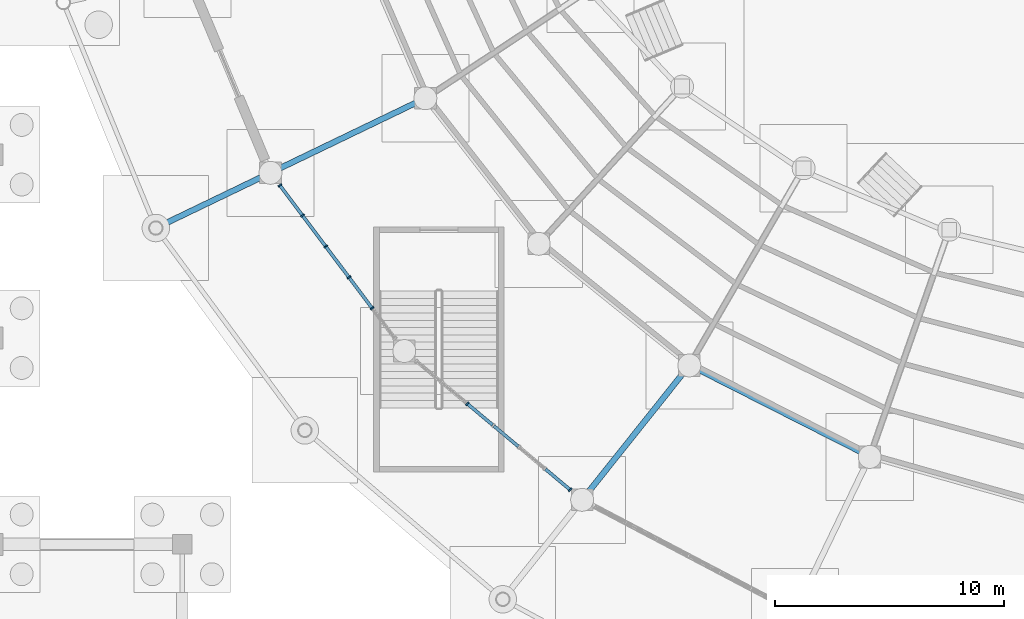
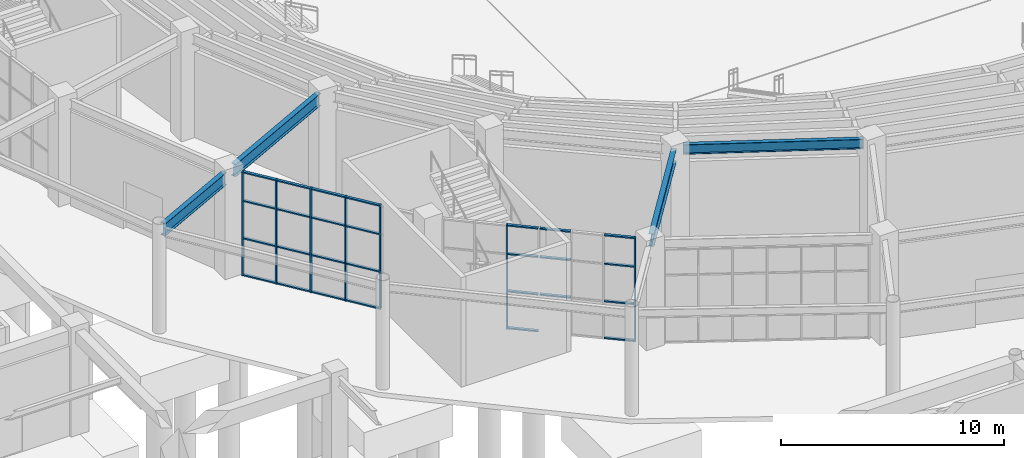
# One storey, part 29 of 121: 34 members, 4 beams, 2 elements without a shape of their own.
"""IFC4 building model written with IfcOpenShell, lengths in metres."""

from ifc_helpers import new_model, si_unit, direction, frame, origin, origin_2d, place, context, subcontext, project, spatial, rectangle, i_section, extrude, material, material_profile, profile_set, type_object, element, aggregate, save


model = new_model("IFC4")

# Units and contexts
model_context = context("Model", 3, precision=1e-05, world=origin(), true_north=direction((0.0, 1.0)))
body_context = subcontext(model_context, "Body", "Model", "MODEL_VIEW")
ifc_project = project(units=[si_unit("LENGTHUNIT", "METRE"), si_unit("AREAUNIT", "SQUARE_METRE"), si_unit("VOLUMEUNIT", "CUBIC_METRE"), si_unit("PLANEANGLEUNIT", "RADIAN"), si_unit("MASSUNIT", "GRAM", prefix="KILO")], contexts=[model_context])

# Site, building, storey
site_placement = place(None, origin())
site = spatial("IfcSite", under=ifc_project, at=site_placement, CompositionType="ELEMENT")
building_placement = place(site_placement, origin())
building = spatial("IfcBuilding", under=site, at=building_placement, Name="Cuetzalor Civic Arena", CompositionType="ELEMENT")
storey_placement = place(building_placement, origin())
storey = spatial("IfcBuildingStorey", under=building, at=storey_placement, Name="L00", CompositionType="ELEMENT", Elevation=0.0)

# Curtain wall, members
ifc_material_1 = material(Name="Anodised dark bronze aluminium and low-E solar glass", Category="aluminium")
curtain_wall_type_1 = type_object("IfcCurtainWallType", Name="UnitisedCW_8450x5700", PredefinedType="USERDEFINED", material=ifc_material_1)
curtain_wall_1_placement = place(storey_placement, origin())
curtain_wall_1 = element("IfcCurtainWall", 1, at=curtain_wall_1_placement, inside=storey, type_object=curtain_wall_type_1, Name="Drum Ground Recessed Concourse Curtain Wall L00-012", ObjectType="UNITISED CURTAIN WALL", PredefinedType="USERDEFINED")
ifc_material_2 = material(Name="Anodised dark bronze aluminium", Category="aluminium")
ifc_material_profile_1 = material_profile(ifc_material_2, rectangle(XDim=0.070068359375, YDim=0.179931640625, at=origin_2d()), Name="ALU MULLION 70x180")
ifc_profile_set_1 = profile_set([ifc_material_profile_1], Name="Anodised dark bronze aluminium")
member_type_1 = type_object("IfcMemberType", Name="CurtainWallMullion_65x180", PredefinedType="MULLION", material=ifc_profile_set_1)
member_1_placement = place(storey_placement, frame((-39.71044921875, -23.697998046875, 0.0), z_axis=(0.0, 0.0, 1.0), x_axis=(-0.600491594925, 0.799631067696, 0.0)))
member_1 = element("IfcMember", 2, at=member_1_placement, type_object=member_type_1, Name="CW-02 mullion 2", PredefinedType="MULLION", context=body_context, shape_type="SweptSolid", body=[
    extrude(rectangle(XDim=0.070068359375, YDim=0.179931640625, at=origin_2d()), origin(), (0.0, 0.0, 1.0), 5.699951171875),
])
member_2_placement = place(storey_placement, frame((-40.722412109375, -22.35009765625, 0.0), z_axis=(0.0, 0.0, 1.0), x_axis=(-0.600491594925, 0.799631067696, 0.0)))
member_2 = element("IfcMember", 3, at=member_2_placement, type_object=member_type_1, Name="CW-02 mullion 3", PredefinedType="MULLION", context=body_context, shape_type="SweptSolid", body=[
    extrude(rectangle(XDim=0.070068359375, YDim=0.179931640625, at=origin_2d()), origin(), (0.0, 0.0, 1.0), 5.699951171875),
])
member_3_placement = place(storey_placement, frame((-41.734619140625, -21.002197265625, 0.0), z_axis=(0.0, 0.0, 1.0), x_axis=(-0.600491594925, 0.799631067696, 0.0)))
member_3 = element("IfcMember", 4, at=member_3_placement, type_object=member_type_1, Name="CW-02 mullion 4", PredefinedType="MULLION", context=body_context, shape_type="SweptSolid", body=[
    extrude(rectangle(XDim=0.070068359375, YDim=0.179931640625, at=origin_2d()), origin(), (0.0, 0.0, 1.0), 5.699951171875),
])
member_4_placement = place(storey_placement, frame((-42.746826171875, -19.654541015625, 0.0), z_axis=(0.0, 0.0, 1.0), x_axis=(-0.600491594925, 0.799631067696, 0.0)))
member_4 = element("IfcMember", 5, at=member_4_placement, type_object=member_type_1, Name="CW-02 mullion 5", PredefinedType="MULLION", context=body_context, shape_type="SweptSolid", body=[
    extrude(rectangle(XDim=0.070068359375, YDim=0.179931640625, at=origin_2d()), origin(), (0.0, 0.0, 1.0), 5.699951171875),
])
member_5_placement = place(storey_placement, frame((-43.738037109375, -18.33447265625, 0.0), z_axis=(0.0, 0.0, 1.0), x_axis=(-0.600491594925, 0.799631067696, 0.0)))
member_5 = element("IfcMember", 6, at=member_5_placement, type_object=member_type_1, Name="CW-02 mullion 6", PredefinedType="MULLION", context=body_context, shape_type="SweptSolid", body=[
    extrude(rectangle(XDim=0.070068359375, YDim=0.179931640625, at=origin_2d()), origin(), (0.0, 0.0, 1.0), 5.699951171875),
])

ifc_material_3 = material(Name="Anodised dark bronze aluminium and low-E solar glass", Category="aluminium")
curtain_wall_type_2 = type_object("IfcCurtainWallType", Name="UnitisedCW_8800x5700", PredefinedType="USERDEFINED", material=ifc_material_3)
curtain_wall_2_placement = place(storey_placement, origin())
curtain_wall_2 = element("IfcCurtainWall", 7, at=curtain_wall_2_placement, inside=storey, type_object=curtain_wall_type_2, Name="Drum Ground Recessed Concourse Curtain Wall L00-013", ObjectType="UNITISED CURTAIN WALL", PredefinedType="USERDEFINED")
member_6_placement = place(storey_placement, frame((-31.0771484375, -31.61474609375, 0.0), z_axis=(0.0, 0.0, 1.0), x_axis=(-0.766928030459, 0.641733119059, 0.0)))
member_6 = element("IfcMember", 8, at=member_6_placement, type_object=member_type_1, Name="CW-03 mullion 1", PredefinedType="MULLION", context=body_context, shape_type="SweptSolid", body=[
    extrude(rectangle(XDim=0.070068359375, YDim=0.179931640625, at=origin_2d()), origin(), (0.0, 0.0, 1.0), 5.699951171875),
])
member_7_placement = place(storey_placement, frame((-35.556884765625, -27.866455078125, 0.0), z_axis=(0.0, 0.0, 1.0), x_axis=(-0.766928030459, 0.641733119059, 0.0)))
member_7 = element("IfcMember", 9, at=member_7_placement, type_object=member_type_1, Name="CW-03 mullion 5", PredefinedType="MULLION", context=body_context, shape_type="SweptSolid", body=[
    extrude(rectangle(XDim=0.070068359375, YDim=0.179931640625, at=origin_2d()), origin(), (0.0, 0.0, 1.0), 5.699951171875),
])

# Member
ifc_material_4 = material(Name="Anodised dark bronze aluminium", Category="aluminium")
ifc_material_profile_2 = material_profile(ifc_material_4, rectangle(XDim=0.139892578125, YDim=0.070068359375, at=origin_2d()), Name="ALU TRANSOM 70x140")
ifc_profile_set_2 = profile_set([ifc_material_profile_2], Name="Anodised dark bronze aluminium")
member_type_2 = type_object("IfcMemberType", Name="CurtainWallTransom_65x140", PredefinedType="USERDEFINED", material=ifc_profile_set_2)
member_8_placement = place(storey_placement, frame((-39.7314453125, -23.669921875, 0.034912109375), z_axis=(-0.600386788689, 0.799709762331, 0.0), x_axis=(-0.799709762331, -0.600386788689, 0.0)))
member_8 = element("IfcMember", 10, at=member_8_placement, type_object=member_type_2, Name="CW-02 transom 2.1", ObjectType="TRANSOM", PredefinedType="USERDEFINED", context=body_context, shape_type="SweptSolid", body=[
    extrude(rectangle(XDim=0.139892578125, YDim=0.070068359375, at=origin_2d()), origin(), (0.0, 0.0, 1.0), 1.615478515625),
])

member_9_placement = place(storey_placement, frame((-39.7314453125, -23.669921875, 2.052001953125), z_axis=(-0.600386788689, 0.799709762331, 0.0), x_axis=(-0.799709762331, -0.600386788689, 0.0)))
member_9 = element("IfcMember", 11, at=member_9_placement, type_object=member_type_2, Name="CW-02 transom 2.2", ObjectType="TRANSOM", PredefinedType="USERDEFINED", context=body_context, shape_type="SweptSolid", body=[
    extrude(rectangle(XDim=0.139892578125, YDim=0.070068359375, at=origin_2d()), origin(), (0.0, 0.0, 1.0), 1.615478515625),
])

member_10_placement = place(storey_placement, frame((-39.7314453125, -23.669921875, 4.10400390625), z_axis=(-0.600386788689, 0.799709762331, 0.0), x_axis=(-0.799709762331, -0.600386788689, 0.0)))
member_10 = element("IfcMember", 12, at=member_10_placement, type_object=member_type_2, Name="CW-02 transom 2.3", ObjectType="TRANSOM", PredefinedType="USERDEFINED", context=body_context, shape_type="SweptSolid", body=[
    extrude(rectangle(XDim=0.139892578125, YDim=0.070068359375, at=origin_2d()), origin(), (0.0, 0.0, 1.0), 1.615478515625),
])

member_11_placement = place(storey_placement, frame((-39.7314453125, -23.669921875, 5.6650390625), z_axis=(-0.600386788689, 0.799709762331, 0.0), x_axis=(-0.799709762331, -0.600386788689, 0.0)))
member_11 = element("IfcMember", 13, at=member_11_placement, type_object=member_type_2, Name="CW-02 transom 2.4", ObjectType="TRANSOM", PredefinedType="USERDEFINED", context=body_context, shape_type="SweptSolid", body=[
    extrude(rectangle(XDim=0.139892578125, YDim=0.070068359375, at=origin_2d()), origin(), (0.0, 0.0, 1.0), 1.615478515625),
])

member_12_placement = place(storey_placement, frame((-40.74365234375, -22.322021484375, 0.034912109375), z_axis=(-0.600459351447, 0.799655280268, 0.0), x_axis=(-0.799655280268, -0.600459351447, 0.0)))
member_12 = element("IfcMember", 14, at=member_12_placement, type_object=member_type_2, Name="CW-02 transom 3.1", ObjectType="TRANSOM", PredefinedType="USERDEFINED", context=body_context, shape_type="SweptSolid", body=[
    extrude(rectangle(XDim=0.139892578125, YDim=0.070068359375, at=origin_2d()), origin(), (0.0, 0.0, 1.0), 1.615478515625),
])

member_13_placement = place(storey_placement, frame((-40.74365234375, -22.322021484375, 2.052001953125), z_axis=(-0.600459351447, 0.799655280268, 0.0), x_axis=(-0.799655280268, -0.600459351447, 0.0)))
member_13 = element("IfcMember", 15, at=member_13_placement, type_object=member_type_2, Name="CW-02 transom 3.2", ObjectType="TRANSOM", PredefinedType="USERDEFINED", context=body_context, shape_type="SweptSolid", body=[
    extrude(rectangle(XDim=0.139892578125, YDim=0.070068359375, at=origin_2d()), origin(), (0.0, 0.0, 1.0), 1.615478515625),
])

member_14_placement = place(storey_placement, frame((-40.74365234375, -22.322021484375, 4.10400390625), z_axis=(-0.600459351447, 0.799655280268, 0.0), x_axis=(-0.799655280268, -0.600459351447, 0.0)))
member_14 = element("IfcMember", 16, at=member_14_placement, type_object=member_type_2, Name="CW-02 transom 3.3", ObjectType="TRANSOM", PredefinedType="USERDEFINED", context=body_context, shape_type="SweptSolid", body=[
    extrude(rectangle(XDim=0.139892578125, YDim=0.070068359375, at=origin_2d()), origin(), (0.0, 0.0, 1.0), 1.615478515625),
])

member_15_placement = place(storey_placement, frame((-40.74365234375, -22.322021484375, 5.6650390625), z_axis=(-0.600459351447, 0.799655280268, 0.0), x_axis=(-0.799655280268, -0.600459351447, 0.0)))
member_15 = element("IfcMember", 17, at=member_15_placement, type_object=member_type_2, Name="CW-02 transom 3.4", ObjectType="TRANSOM", PredefinedType="USERDEFINED", context=body_context, shape_type="SweptSolid", body=[
    extrude(rectangle(XDim=0.139892578125, YDim=0.070068359375, at=origin_2d()), origin(), (0.0, 0.0, 1.0), 1.615478515625),
])

member_16_placement = place(storey_placement, frame((-41.755615234375, -20.974365234375, 0.034912109375), z_axis=(-0.600483420085, 0.799637206615, 0.0), x_axis=(-0.799637206615, -0.600483420085, 0.0)))
member_16 = element("IfcMember", 18, at=member_16_placement, type_object=member_type_2, Name="CW-02 transom 4.1", ObjectType="TRANSOM", PredefinedType="USERDEFINED", context=body_context, shape_type="SweptSolid", body=[
    extrude(rectangle(XDim=0.139892578125, YDim=0.070068359375, at=origin_2d()), origin(), (0.0, 0.0, 1.0), 1.61572265625),
])

member_17_placement = place(storey_placement, frame((-41.755615234375, -20.974365234375, 2.052001953125), z_axis=(-0.600483420085, 0.799637206615, 0.0), x_axis=(-0.799637206615, -0.600483420085, 0.0)))
member_17 = element("IfcMember", 19, at=member_17_placement, type_object=member_type_2, Name="CW-02 transom 4.2", ObjectType="TRANSOM", PredefinedType="USERDEFINED", context=body_context, shape_type="SweptSolid", body=[
    extrude(rectangle(XDim=0.139892578125, YDim=0.070068359375, at=origin_2d()), origin(), (0.0, 0.0, 1.0), 1.61572265625),
])

member_18_placement = place(storey_placement, frame((-41.755615234375, -20.974365234375, 4.10400390625), z_axis=(-0.600483420085, 0.799637206615, 0.0), x_axis=(-0.799637206615, -0.600483420085, 0.0)))
member_18 = element("IfcMember", 20, at=member_18_placement, type_object=member_type_2, Name="CW-02 transom 4.3", ObjectType="TRANSOM", PredefinedType="USERDEFINED", context=body_context, shape_type="SweptSolid", body=[
    extrude(rectangle(XDim=0.139892578125, YDim=0.070068359375, at=origin_2d()), origin(), (0.0, 0.0, 1.0), 1.61572265625),
])

member_19_placement = place(storey_placement, frame((-41.755615234375, -20.974365234375, 5.6650390625), z_axis=(-0.600483420085, 0.799637206615, 0.0), x_axis=(-0.799637206615, -0.600483420085, 0.0)))
member_19 = element("IfcMember", 21, at=member_19_placement, type_object=member_type_2, Name="CW-02 transom 4.4", ObjectType="TRANSOM", PredefinedType="USERDEFINED", context=body_context, shape_type="SweptSolid", body=[
    extrude(rectangle(XDim=0.139892578125, YDim=0.070068359375, at=origin_2d()), origin(), (0.0, 0.0, 1.0), 1.61572265625),
])

member_20_placement = place(storey_placement, frame((-42.767822265625, -19.62646484375, 0.034912109375), z_axis=(-0.600518840652, 0.799610606496, 0.0), x_axis=(-0.799610606496, -0.600518840652, 0.0)))
member_20 = element("IfcMember", 22, at=member_20_placement, type_object=member_type_2, Name="CW-02 transom 5.1", ObjectType="TRANSOM", PredefinedType="USERDEFINED", context=body_context, shape_type="SweptSolid", body=[
    extrude(rectangle(XDim=0.139892578125, YDim=0.070068359375, at=origin_2d()), origin(), (0.0, 0.0, 1.0), 1.58056640625),
])

member_21_placement = place(storey_placement, frame((-42.767822265625, -19.62646484375, 2.052001953125), z_axis=(-0.600518840652, 0.799610606496, 0.0), x_axis=(-0.799610606496, -0.600518840652, 0.0)))
member_21 = element("IfcMember", 23, at=member_21_placement, type_object=member_type_2, Name="CW-02 transom 5.2", ObjectType="TRANSOM", PredefinedType="USERDEFINED", context=body_context, shape_type="SweptSolid", body=[
    extrude(rectangle(XDim=0.139892578125, YDim=0.070068359375, at=origin_2d()), origin(), (0.0, 0.0, 1.0), 1.58056640625),
])

member_22_placement = place(storey_placement, frame((-42.767822265625, -19.62646484375, 4.10400390625), z_axis=(-0.600518840652, 0.799610606496, 0.0), x_axis=(-0.799610606496, -0.600518840652, 0.0)))
member_22 = element("IfcMember", 24, at=member_22_placement, type_object=member_type_2, Name="CW-02 transom 5.3", ObjectType="TRANSOM", PredefinedType="USERDEFINED", context=body_context, shape_type="SweptSolid", body=[
    extrude(rectangle(XDim=0.139892578125, YDim=0.070068359375, at=origin_2d()), origin(), (0.0, 0.0, 1.0), 1.58056640625),
])

member_23_placement = place(storey_placement, frame((-42.767822265625, -19.62646484375, 5.6650390625), z_axis=(-0.600518840652, 0.799610606496, 0.0), x_axis=(-0.799610606496, -0.600518840652, 0.0)))
member_23 = element("IfcMember", 25, at=member_23_placement, type_object=member_type_2, Name="CW-02 transom 5.4", ObjectType="TRANSOM", PredefinedType="USERDEFINED", context=body_context, shape_type="SweptSolid", body=[
    extrude(rectangle(XDim=0.139892578125, YDim=0.070068359375, at=origin_2d()), origin(), (0.0, 0.0, 1.0), 1.58056640625),
])

aggregate(curtain_wall_1, [member_1, member_2, member_3, member_4, member_5, member_8, member_9, member_10, member_11, member_12, member_13, member_14, member_15, member_16, member_17, member_18, member_19, member_20, member_21, member_22, member_23])

member_24_placement = place(storey_placement, frame((-31.10400390625, -31.59228515625, 0.034912109375), z_axis=(-0.766972759582, 0.641679660001, 0.0), x_axis=(-0.641679660001, -0.766972759582, 0.0)))
member_24 = element("IfcMember", 26, at=member_24_placement, type_object=member_type_2, Name="CW-03 transom 1.1", ObjectType="TRANSOM", PredefinedType="USERDEFINED", context=body_context, shape_type="SweptSolid", body=[
    extrude(rectangle(XDim=0.139892578125, YDim=0.070068359375, at=origin_2d()), origin(), (0.0, 0.0, 1.0), 1.364013671875),
])

member_25_placement = place(storey_placement, frame((-31.10400390625, -31.59228515625, 2.052001953125), z_axis=(-0.766972759582, 0.641679660001, 0.0), x_axis=(-0.641679660001, -0.766972759582, 0.0)))
member_25 = element("IfcMember", 27, at=member_25_placement, type_object=member_type_2, Name="CW-03 transom 1.2", ObjectType="TRANSOM", PredefinedType="USERDEFINED", context=body_context, shape_type="SweptSolid", body=[
    extrude(rectangle(XDim=0.139892578125, YDim=0.070068359375, at=origin_2d()), origin(), (0.0, 0.0, 1.0), 1.364013671875),
])

member_26_placement = place(storey_placement, frame((-31.10400390625, -31.59228515625, 4.10400390625), z_axis=(-0.766972759582, 0.641679660001, 0.0), x_axis=(-0.641679660001, -0.766972759582, 0.0)))
member_26 = element("IfcMember", 28, at=member_26_placement, type_object=member_type_2, Name="CW-03 transom 1.3", ObjectType="TRANSOM", PredefinedType="USERDEFINED", context=body_context, shape_type="SweptSolid", body=[
    extrude(rectangle(XDim=0.139892578125, YDim=0.070068359375, at=origin_2d()), origin(), (0.0, 0.0, 1.0), 1.364013671875),
])

member_27_placement = place(storey_placement, frame((-31.10400390625, -31.59228515625, 5.6650390625), z_axis=(-0.766972759582, 0.641679660001, 0.0), x_axis=(-0.641679660001, -0.766972759582, 0.0)))
member_27 = element("IfcMember", 29, at=member_27_placement, type_object=member_type_2, Name="CW-03 transom 1.4", ObjectType="TRANSOM", PredefinedType="USERDEFINED", context=body_context, shape_type="SweptSolid", body=[
    extrude(rectangle(XDim=0.139892578125, YDim=0.070068359375, at=origin_2d()), origin(), (0.0, 0.0, 1.0), 1.364013671875),
])

member_28_placement = place(storey_placement, frame((-33.33056640625, -29.7294921875, 2.052001953125), z_axis=(-0.766889482405, 0.641779184593, 0.0), x_axis=(-0.641779184593, -0.766889482405, 0.0)))
member_28 = element("IfcMember", 30, at=member_28_placement, type_object=member_type_2, Name="CW-03 transom 3.2", ObjectType="TRANSOM", PredefinedType="USERDEFINED", context=body_context, shape_type="SweptSolid", body=[
    extrude(rectangle(XDim=0.139892578125, YDim=0.070068359375, at=origin_2d()), origin(), (0.0, 0.0, 1.0), 1.399169921875),
])

member_29_placement = place(storey_placement, frame((-33.33056640625, -29.7294921875, 4.10400390625), z_axis=(-0.766889482405, 0.641779184593, 0.0), x_axis=(-0.641779184593, -0.766889482405, 0.0)))
member_29 = element("IfcMember", 31, at=member_29_placement, type_object=member_type_2, Name="CW-03 transom 3.3", ObjectType="TRANSOM", PredefinedType="USERDEFINED", context=body_context, shape_type="SweptSolid", body=[
    extrude(rectangle(XDim=0.139892578125, YDim=0.070068359375, at=origin_2d()), origin(), (0.0, 0.0, 1.0), 1.399169921875),
])

member_30_placement = place(storey_placement, frame((-33.33056640625, -29.7294921875, 5.6650390625), z_axis=(-0.766889482405, 0.641779184593, 0.0), x_axis=(-0.641779184593, -0.766889482405, 0.0)))
member_30 = element("IfcMember", 32, at=member_30_placement, type_object=member_type_2, Name="CW-03 transom 3.4", ObjectType="TRANSOM", PredefinedType="USERDEFINED", context=body_context, shape_type="SweptSolid", body=[
    extrude(rectangle(XDim=0.139892578125, YDim=0.070068359375, at=origin_2d()), origin(), (0.0, 0.0, 1.0), 1.399169921875),
])

member_31_placement = place(storey_placement, frame((-34.457275390625, -28.78662109375, 0.034912109375), z_axis=(-0.766975365209, 0.641676545591, 0.0), x_axis=(-0.641676545591, -0.766975365209, 0.0)))
member_31 = element("IfcMember", 33, at=member_31_placement, type_object=member_type_2, Name="CW-03 transom 4.1", ObjectType="TRANSOM", PredefinedType="USERDEFINED", context=body_context, shape_type="SweptSolid", body=[
    extrude(rectangle(XDim=0.139892578125, YDim=0.070068359375, at=origin_2d()), origin(), (0.0, 0.0, 1.0), 1.39892578125),
])

member_32_placement = place(storey_placement, frame((-34.457275390625, -28.78662109375, 2.052001953125), z_axis=(-0.766975365209, 0.641676545591, 0.0), x_axis=(-0.641676545591, -0.766975365209, 0.0)))
member_32 = element("IfcMember", 34, at=member_32_placement, type_object=member_type_2, Name="CW-03 transom 4.2", ObjectType="TRANSOM", PredefinedType="USERDEFINED", context=body_context, shape_type="SweptSolid", body=[
    extrude(rectangle(XDim=0.139892578125, YDim=0.070068359375, at=origin_2d()), origin(), (0.0, 0.0, 1.0), 1.39892578125),
])

member_33_placement = place(storey_placement, frame((-34.457275390625, -28.78662109375, 4.10400390625), z_axis=(-0.766975365209, 0.641676545591, 0.0), x_axis=(-0.641676545591, -0.766975365209, 0.0)))
member_33 = element("IfcMember", 35, at=member_33_placement, type_object=member_type_2, Name="CW-03 transom 4.3", ObjectType="TRANSOM", PredefinedType="USERDEFINED", context=body_context, shape_type="SweptSolid", body=[
    extrude(rectangle(XDim=0.139892578125, YDim=0.070068359375, at=origin_2d()), origin(), (0.0, 0.0, 1.0), 1.39892578125),
])

member_34_placement = place(storey_placement, frame((-34.457275390625, -28.78662109375, 5.6650390625), z_axis=(-0.766975365209, 0.641676545591, 0.0), x_axis=(-0.641676545591, -0.766975365209, 0.0)))
member_34 = element("IfcMember", 36, at=member_34_placement, type_object=member_type_2, Name="CW-03 transom 4.4", ObjectType="TRANSOM", PredefinedType="USERDEFINED", context=body_context, shape_type="SweptSolid", body=[
    extrude(rectangle(XDim=0.139892578125, YDim=0.070068359375, at=origin_2d()), origin(), (0.0, 0.0, 1.0), 1.39892578125),
])

aggregate(curtain_wall_2, [member_6, member_7, member_24, member_25, member_26, member_27, member_28, member_29, member_30, member_31, member_32, member_33, member_34])

# Beams
ifc_material_5 = material(Name="Steel S355", Category="steel")
ifc_material_profile_3 = material_profile(ifc_material_5, i_section(OverallWidth=0.208984375, OverallDepth=0.532958984375, WebThickness=0.01025390625, FlangeThickness=0.015625, at=origin_2d()), Name="W530x92")
ifc_profile_set_3 = profile_set([ifc_material_profile_3], Name="Steel S355")
beam_type_1 = type_object("IfcBeamType", Name="SteelCollarGirder_W530", PredefinedType="BEAM", material=ifc_profile_set_3)
beam_1_placement = place(storey_placement, frame((-25.5537109375, -26.354248046875, 5.43359375), z_axis=(0.89182706622, -0.452376484754, 0.0), x_axis=(0.452376484754, 0.89182706622, 0.0)))
element("IfcBeam", 37, at=beam_1_placement, inside=storey, type_object=beam_type_1, Name="Bowl Inner Ring Girder L00-S19", PredefinedType="BEAM", context=body_context, shape_type="SweptSolid", body=[
    extrude(i_section(OverallWidth=0.208984375, OverallDepth=0.532958984375, WebThickness=0.01025390625, FlangeThickness=0.015625, at=origin_2d()), origin(), (0.0, 0.0, 1.0), 8.102783203125),
])
ifc_material_6 = material(Name="Steel S355", Category="steel")
ifc_material_profile_4 = material_profile(ifc_material_6, i_section(OverallWidth=0.2529296875, OverallDepth=0.677978515625, WebThickness=0.01171875, FlangeThickness=0.016357421875, at=origin_2d()), Name="W690x125")
ifc_profile_set_4 = profile_set([ifc_material_profile_4], Name="Steel S355")
beam_type_2 = type_object("IfcBeamType", Name="SteelPrimaryGirder_W690", PredefinedType="BEAM", material=ifc_profile_set_4)
beam_2_placement = place(storey_placement, frame((-44.4716796875, -17.9453125, 5.361083984375), z_axis=(-0.900964883231, -0.433892013275, 0.0), x_axis=(0.433892013275, -0.900964883231, 0.0)))
element("IfcBeam", 38, at=beam_2_placement, inside=storey, type_object=beam_type_2, Name="Drum Radial Girder L00-R17", PredefinedType="BEAM", context=body_context, shape_type="SweptSolid", body=[
    extrude(i_section(OverallWidth=0.2529296875, OverallDepth=0.677978515625, WebThickness=0.01171875, FlangeThickness=0.016357421875, at=origin_2d()), origin(), (0.0, 0.0, 1.0), 4.900390625),
])
beam_3_placement = place(storey_placement, frame((-37.714599609375, -14.69140625, 5.361083984375), z_axis=(-0.900975603874, -0.433869751452, 0.0), x_axis=(0.433869751452, -0.900975603874, 0.0)))
element("IfcBeam", 39, at=beam_3_placement, inside=storey, type_object=beam_type_2, Name="Drum Inner Radial Girder L00-R17", PredefinedType="BEAM", context=body_context, shape_type="SweptSolid", body=[
    extrude(i_section(OverallWidth=0.2529296875, OverallDepth=0.677978515625, WebThickness=0.01171875, FlangeThickness=0.016357421875, at=origin_2d()), origin(), (0.0, 0.0, 1.0), 6.780029296875),
])
beam_4_placement = place(storey_placement, frame((-26.099365234375, -26.472900390625, 5.361083984375), z_axis=(-0.623473464464, -0.781844510826, 0.0), x_axis=(0.781844510826, -0.623473464464, 0.0)))
element("IfcBeam", 40, at=beam_4_placement, inside=storey, type_object=beam_type_2, Name="Drum Inner Radial Girder L00-R19", PredefinedType="BEAM", context=body_context, shape_type="SweptSolid", body=[
    extrude(i_section(OverallWidth=0.2529296875, OverallDepth=0.677978515625, WebThickness=0.01171875, FlangeThickness=0.016357421875, at=origin_2d()), origin(), (0.0, 0.0, 1.0), 6.77978515625),
])

save(model, "model.ifc")
